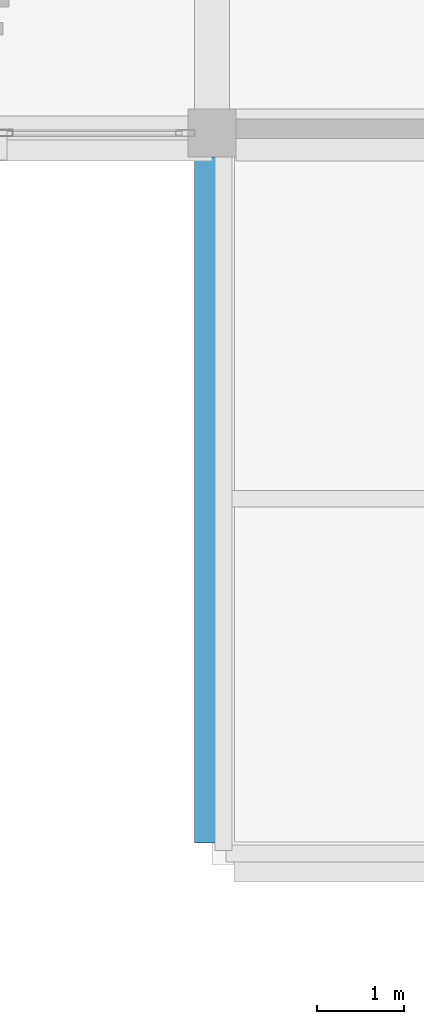
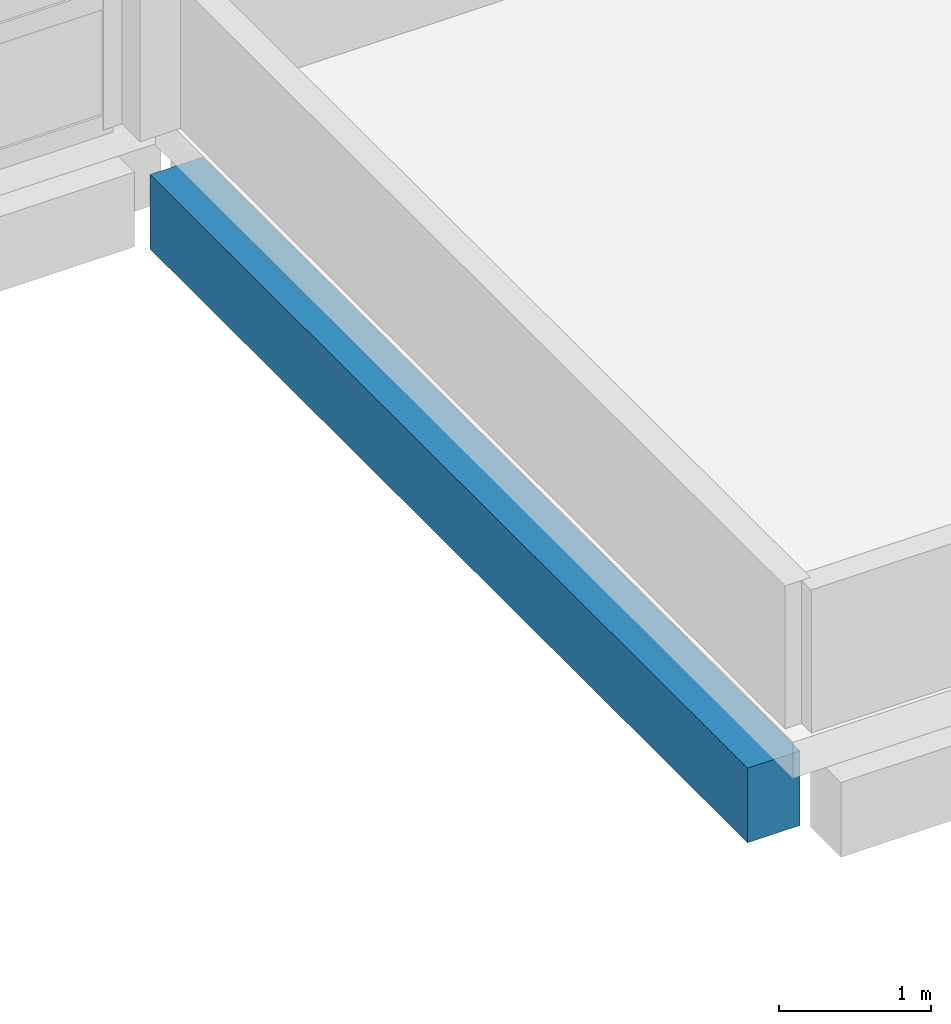
# One storey, part 28 of 88: 1 beam.
"""IFC4 building model written with IfcOpenShell, lengths in metres."""

from ifc_helpers import new_model, si_unit, direction, frame, origin, origin_2d, place, context, subcontext, project, spatial, rectangle, extrude, material, material_profile, profile_set, type_object, element, save


model = new_model("IFC4")

# Units and contexts
model_context = context("Model", 3, precision=1e-05, world=origin(), true_north=direction((0.0, 1.0)))
body_context = subcontext(model_context, "Body", "Model", "MODEL_VIEW")
ifc_project = project(units=[si_unit("LENGTHUNIT", "METRE"), si_unit("AREAUNIT", "SQUARE_METRE"), si_unit("VOLUMEUNIT", "CUBIC_METRE"), si_unit("PLANEANGLEUNIT", "RADIAN"), si_unit("MASSUNIT", "GRAM", prefix="KILO")], contexts=[model_context])

# Site, building, storey
site_placement = place(None, origin())
site = spatial("IfcSite", under=ifc_project, at=site_placement, CompositionType="ELEMENT")
building_placement = place(site_placement, origin())
building = spatial("IfcBuilding", under=site, at=building_placement, Name="Lornevale Opera House", CompositionType="ELEMENT")
storey_placement = place(building_placement, frame((0.0, 0.0, 10.199951171875)))
storey = spatial("IfcBuildingStorey", under=building, at=storey_placement, Name="L03", CompositionType="ELEMENT", Elevation=10.199951171875)

# Beam
ifc_material = material(Name="Concrete 35 MPa (CSA A23.1 N)", Category="concrete")
ifc_material_profile = material_profile(ifc_material, rectangle(XDim=0.39990234375, YDim=0.60009765625, at=origin_2d()), Name="RC400x600")
ifc_profile_set = profile_set([ifc_material_profile], Name="Concrete 35 MPa (CSA A23.1 N)")
beam_type = type_object("IfcBeamType", Name="Concrete Spandrel Beam 400x600", PredefinedType="SPANDREL", material=ifc_profile_set)
beam_placement = place(storey_placement, frame((124.800048828125, 8.64990234375, -0.58984375), z_axis=(0.0, 1.0, 0.0), x_axis=(-1.0, 0.0, 0.0)))
element("IfcBeam", 1, at=beam_placement, inside=storey, type_object=beam_type, Name="Concrete Spandrel Beam 400x600 2330", PredefinedType="SPANDREL", context=body_context, shape_type="SweptSolid", body=[
    extrude(rectangle(XDim=0.39990234375, YDim=0.60009765625, at=origin_2d()), origin(), (0.0, 0.0, 1.0), 7.875),
])

save(model, "model.ifc")
